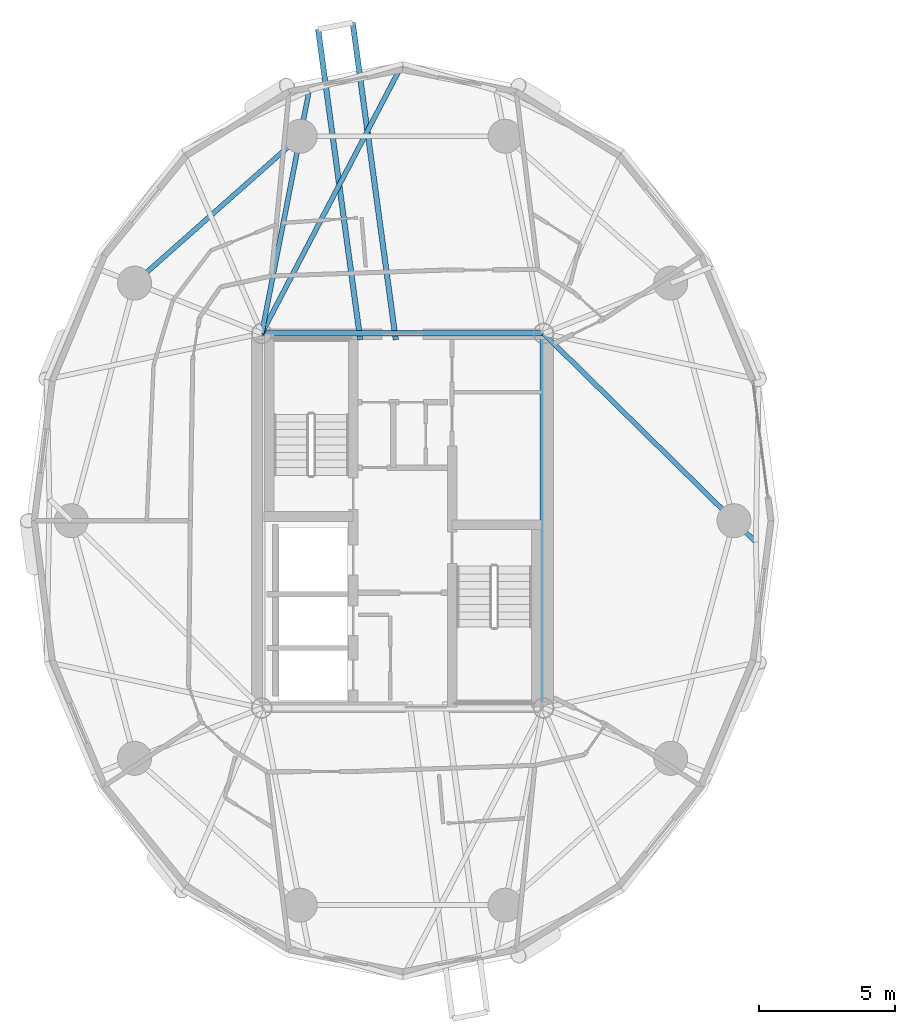
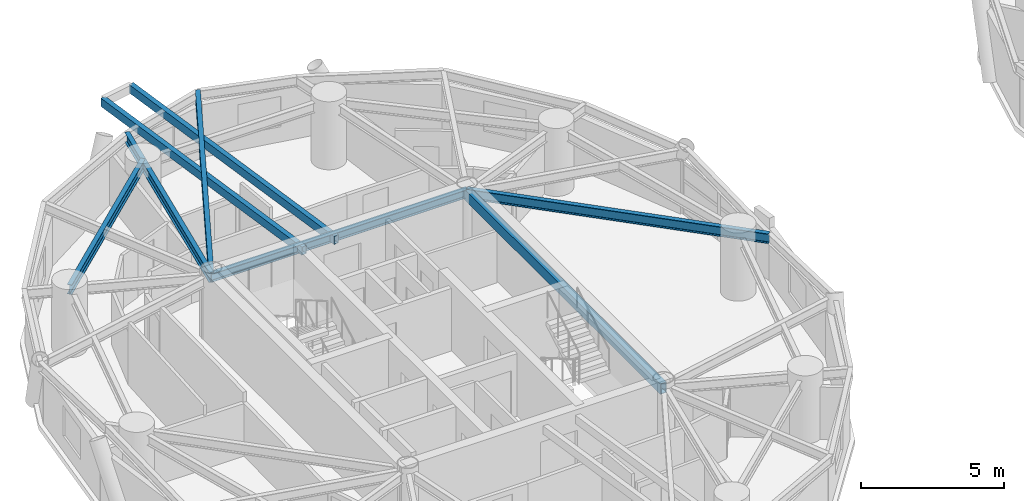
# One storey, part 2 of 17: 8 beams.
"""IFC4 building model written with IfcOpenShell, lengths in metres."""

from ifc_helpers import new_model, si_unit, direction, frame, origin, origin_2d, place, context, subcontext, project, spatial, hollow_rectangle, i_section, extrude, material, material_profile, profile_set, type_object, element, save


model = new_model("IFC4")

# Units and contexts
model_context = context("Model", 3, precision=1e-05, world=origin(), true_north=direction((0.0, 1.0)))
body_context = subcontext(model_context, "Body", "Model", "MODEL_VIEW")
ifc_project = project(units=[si_unit("LENGTHUNIT", "METRE"), si_unit("AREAUNIT", "SQUARE_METRE"), si_unit("VOLUMEUNIT", "CUBIC_METRE"), si_unit("PLANEANGLEUNIT", "RADIAN"), si_unit("MASSUNIT", "GRAM", prefix="KILO")], contexts=[model_context])

# Site, building, storey
site_placement = place(None, origin())
site = spatial("IfcSite", under=ifc_project, at=site_placement, CompositionType="ELEMENT")
building_placement = place(site_placement, origin())
building = spatial("IfcBuilding", under=site, at=building_placement, Name="Cununo Teusaquillo Station Towers", CompositionType="ELEMENT")
storey_placement = place(building_placement, frame((0.0, 0.0, 183.610107421875)))
storey = spatial("IfcBuildingStorey", under=building, at=storey_placement, Name="L58", CompositionType="ELEMENT", Elevation=183.610107421875)

# Beams
ifc_material_1 = material(Name="Steel EN 10025-2 S355J2", Category="steel")
ifc_material_profile_1 = material_profile(ifc_material_1, hollow_rectangle(XDim=0.199951171875, YDim=0.35009765625, WallThickness=0.013916015625, at=origin_2d()), Name="RHS 350x200x14")
ifc_profile_set_1 = profile_set([ifc_material_profile_1], Name="Steel EN 10025-2 S355J2")
beam_type_1 = type_object("IfcBeamType", Name="BM-BAL-CANT", PredefinedType="BEAM", material=ifc_profile_set_1)
beam_1_placement = place(storey_placement, frame((16.248046875, 31.14990234375, 2.514892578125), z_axis=(-0.134615370715, 0.990897927118, 0.0), x_axis=(-0.990897927118, -0.134615370715, 0.0)))
element("IfcBeam", 1, at=beam_1_placement, inside=storey, type_object=beam_type_1, Name="L58 Tower A Balcony Cantilever Bracket 1A", PredefinedType="BEAM", context=body_context, shape_type="SweptSolid", body=[
    extrude(hollow_rectangle(XDim=0.199951171875, YDim=0.35009765625, WallThickness=0.013916015625, at=origin_2d()), origin(), (0.0, 0.0, 1.0), 11.752197265625),
])
beam_2_placement = place(storey_placement, frame((14.94482421875, 31.14990234375, 2.514892578125), z_axis=(-0.134626438315, 0.990896423501, 0.0), x_axis=(-0.990896423501, -0.134626438315, 0.0)))
element("IfcBeam", 2, at=beam_2_placement, inside=storey, type_object=beam_type_1, Name="L58 Tower A Balcony Cantilever Bracket 1B", PredefinedType="BEAM", context=body_context, shape_type="SweptSolid", body=[
    extrude(hollow_rectangle(XDim=0.199951171875, YDim=0.35009765625, WallThickness=0.013916015625, at=origin_2d()), origin(), (0.0, 0.0, 1.0), 11.504638671875),
])
ifc_material_2 = material(Name="Steel EN 10025-2 S355J2", Category="steel")
ifc_material_profile_2 = material_profile(ifc_material_2, hollow_rectangle(XDim=0.25, YDim=0.449951171875, WallThickness=0.01611328125, at=origin_2d()), Name="RHS 450x250x16")
ifc_profile_set_2 = profile_set([ifc_material_profile_2], Name="Steel EN 10025-2 S355J2")
beam_type_2 = type_object("IfcBeamType", Name="BM-COUP-1", PredefinedType="USERDEFINED", material=ifc_profile_set_2)
beam_3_placement = place(storey_placement, frame((21.675048828125, 17.6201171875, 2.46484375), z_axis=(0.0, 1.0, 0.0), x_axis=(-1.0, 0.0, 0.0)))
element("IfcBeam", 3, at=beam_3_placement, inside=storey, type_object=beam_type_2, Name="L58 Tower A Core Beam 2", ObjectType="COUPLING BEAM", PredefinedType="USERDEFINED", context=body_context, shape_type="SweptSolid", body=[
    extrude(hollow_rectangle(XDim=0.25, YDim=0.449951171875, WallThickness=0.01611328125, at=origin_2d()), origin(), (0.0, 0.0, 1.0), 13.759765625),
])
ifc_material_3 = material(Name="Steel ASTM A572 Grade 50", Category="steel")
ifc_material_profile_3 = material_profile(ifc_material_3, i_section(OverallWidth=0.180908203125, OverallDepth=0.4169921875, WebThickness=0.010986328125, FlangeThickness=0.018310546875, FilletRadius=0.012939453125, at=origin_2d()), Name="W16X57")
ifc_profile_set_3 = profile_set([ifc_material_profile_3], Name="Steel ASTM A572 Grade 50")
beam_type_3 = type_object("IfcBeamType", Name="BM-JOIST-1", PredefinedType="JOIST", material=ifc_profile_set_3)
beam_4_placement = place(storey_placement, frame((11.324951171875, 31.3798828125, 2.4814453125), z_axis=(0.462884645231, 0.886418527113, 0.0), x_axis=(-0.886418527113, 0.462884645231, 0.0)))
element("IfcBeam", 4, at=beam_4_placement, inside=storey, type_object=beam_type_3, Name="L58 Tower A Radial Spandrel Joist V05", PredefinedType="JOIST", context=body_context, shape_type="SweptSolid", body=[
    extrude(i_section(OverallWidth=0.180908203125, OverallDepth=0.4169921875, WebThickness=0.010986328125, FlangeThickness=0.018310546875, FilletRadius=0.012939453125, at=origin_2d()), origin(), (0.0, 0.0, 1.0), 11.179931640625),
])
ifc_material_4 = material(Name="Steel ASTM A572 Grade 50", Category="steel")
ifc_material_profile_4 = material_profile(ifc_material_4, i_section(OverallWidth=0.2041015625, OverallDepth=0.35009765625, WebThickness=0.008544921875, FlangeThickness=0.01513671875, FilletRadius=0.011962890625, at=origin_2d()), Name="W14X48")
ifc_profile_set_4 = profile_set([ifc_material_profile_4], Name="Steel ASTM A572 Grade 50")
beam_type_4 = type_object("IfcBeamType", Name="BM-LINTEL-1", PredefinedType="LINTEL", material=ifc_profile_set_4)
beam_5_placement = place(storey_placement, frame((11.324951171875, 31.3798828125, 2.514892578125), z_axis=(1.0, 0.0, 0.0), x_axis=(0.0, 1.0, 0.0)))
element("IfcBeam", 5, at=beam_5_placement, inside=storey, type_object=beam_type_4, Name="L58 Tower A Core Beam 4", PredefinedType="LINTEL", context=body_context, shape_type="SweptSolid", body=[
    extrude(i_section(OverallWidth=0.2041015625, OverallDepth=0.35009765625, WebThickness=0.008544921875, FlangeThickness=0.01513671875, FilletRadius=0.011962890625, at=origin_2d()), origin(), (0.0, 0.0, 1.0), 10.35009765625),
])
ifc_material_5 = material(Name="Steel ASTM A572 Grade 50", Category="steel")
ifc_material_profile_5 = material_profile(ifc_material_5, i_section(OverallWidth=0.180908203125, OverallDepth=0.4169921875, WebThickness=0.010986328125, FlangeThickness=0.018310546875, FilletRadius=0.012939453125, at=origin_2d()), Name="W16X57")
ifc_profile_set_5 = profile_set([ifc_material_profile_5], Name="Steel ASTM A572 Grade 50")
beam_type_5 = type_object("IfcBeamType", Name="BM-RAD-G2", PredefinedType="BEAM", material=ifc_profile_set_5)
beam_6_placement = place(storey_placement, frame((21.675048828125, 31.3798828125, 2.4814453125), z_axis=(0.713051946152, -0.701111205223, 0.0), x_axis=(0.701111205223, 0.713051946152, 0.0)))
element("IfcBeam", 6, at=beam_6_placement, inside=storey, type_object=beam_type_5, Name="L58 Tower A Continuous Overhanging Radial Girder 01", PredefinedType="BEAM", context=body_context, shape_type="SweptSolid", body=[
    extrude(i_section(OverallWidth=0.180908203125, OverallDepth=0.4169921875, WebThickness=0.010986328125, FlangeThickness=0.018310546875, FilletRadius=0.012939453125, at=origin_2d()), origin(), (0.0, 0.0, 1.0), 10.938720703125),
])
beam_7_placement = place(storey_placement, frame((11.324951171875, 31.3798828125, 2.4814453125), z_axis=(0.191557018874, 0.981481486591, 0.0), x_axis=(-0.981481486591, 0.191557018874, 0.0)))
element("IfcBeam", 7, at=beam_7_placement, inside=storey, type_object=beam_type_5, Name="L58 Tower A Continuous Overhanging Radial Girder 04", PredefinedType="BEAM", context=body_context, shape_type="SweptSolid", body=[
    extrude(i_section(OverallWidth=0.180908203125, OverallDepth=0.4169921875, WebThickness=0.010986328125, FlangeThickness=0.018310546875, FilletRadius=0.012939453125, at=origin_2d()), origin(), (0.0, 0.0, 1.0), 9.097412109375),
])
ifc_material_6 = material(Name="Steel ASTM A572 Grade 50", Category="steel")
ifc_material_profile_6 = material_profile(ifc_material_6, i_section(OverallWidth=0.180908203125, OverallDepth=0.4169921875, WebThickness=0.010986328125, FlangeThickness=0.018310546875, FilletRadius=0.012939453125, at=origin_2d()), Name="W16X57")
ifc_profile_set_6 = profile_set([ifc_material_profile_6], Name="Steel ASTM A572 Grade 50")
beam_type_6 = type_object("IfcBeamType", Name="BM-RING-Z3", PredefinedType="SPANDREL", material=ifc_profile_set_6)
beam_8_placement = place(storey_placement, frame((12.738525390625, 38.623291015625, 2.4814453125), z_axis=(-0.74832120039, -0.66333655187, 0.0), x_axis=(0.66333655187, -0.74832120039, 0.0)))
element("IfcBeam", 8, at=beam_8_placement, inside=storey, type_object=beam_type_6, Name="L58 Tower A Structural Column Ring Girder 04", PredefinedType="SPANDREL", context=body_context, shape_type="SweptSolid", body=[
    extrude(i_section(OverallWidth=0.180908203125, OverallDepth=0.4169921875, WebThickness=0.010986328125, FlangeThickness=0.018310546875, FilletRadius=0.012939453125, at=origin_2d()), origin(), (0.0, 0.0, 1.0), 8.1328125),
])

save(model, "model.ifc")
